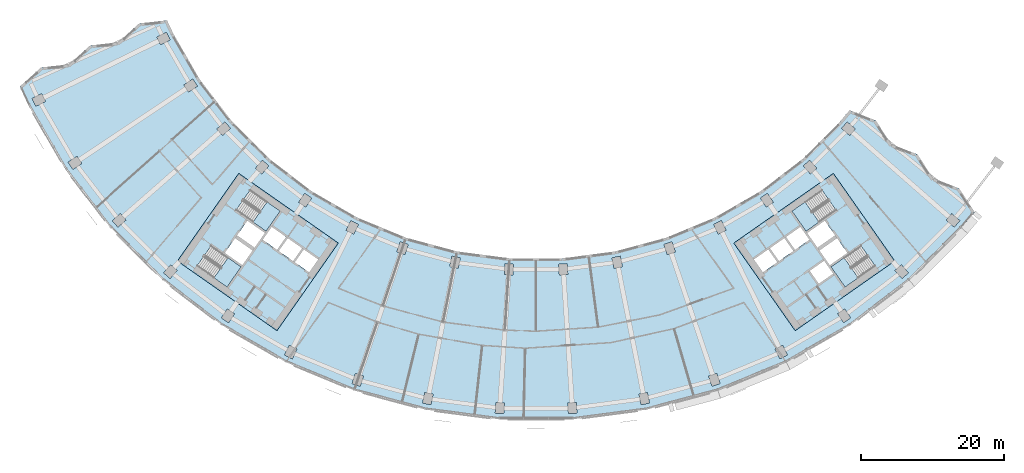
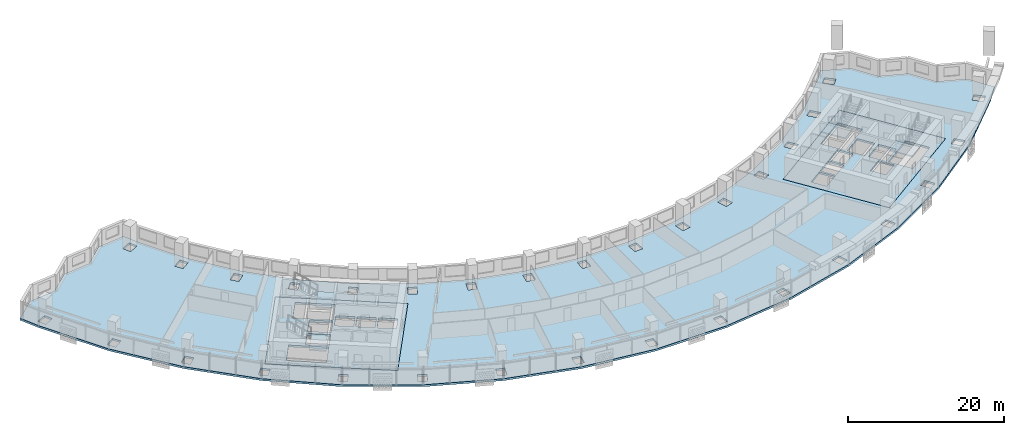
# One storey, part 2 of 29: 7 slabs, 4 elements without a shape of their own.
"""IFC4 building model written with IfcOpenShell, lengths in metres."""

from ifc_helpers import new_model, si_unit, direction, frame, origin, place, context, subcontext, project, spatial, polyline, outline, extrude, material, layer, layer_set, type_object, element, aggregate, save


model = new_model("IFC4")

# Units and contexts
model_context = context("Model", 3, precision=1e-05, world=origin(), true_north=direction((0.0, 1.0)))
body_context = subcontext(model_context, "Body", "Model", "MODEL_VIEW")
ifc_project = project(units=[si_unit("LENGTHUNIT", "METRE"), si_unit("AREAUNIT", "SQUARE_METRE"), si_unit("VOLUMEUNIT", "CUBIC_METRE"), si_unit("PLANEANGLEUNIT", "RADIAN"), si_unit("MASSUNIT", "GRAM", prefix="KILO")], contexts=[model_context])

# Site, building, storey
site_placement = place(None, origin())
site = spatial("IfcSite", under=ifc_project, at=site_placement, CompositionType="ELEMENT")
building_placement = place(site_placement, origin())
building = spatial("IfcBuilding", under=site, at=building_placement, Name="Qamariyya Broadcast Tower", CompositionType="ELEMENT")
storey_placement = place(building_placement, frame((0.0, 0.0, 121.5)))
storey = spatial("IfcBuildingStorey", under=building, at=storey_placement, Name="L27", CompositionType="ELEMENT", Elevation=121.5)

# Slabs
ifc_material_1 = material(Name="Concrete C40/50", Category="concrete")
ifc_layer_1 = layer(ifc_material_1, 0.300048828125)
ifc_layer_set_1 = layer_set([ifc_layer_1], Name="Core floor slab 300 mm Concrete C40/50")
slab_type_1 = type_object("IfcSlabType", Name="Core floor slab 300 mm Concrete C40/50", PredefinedType="FLOOR", material=ifc_layer_set_1)
slab_1_placement = place(storey_placement, frame((0.0, 0.0, -0.300048828125)))
element("IfcSlab", 1, at=slab_1_placement, inside=storey, type_object=slab_type_1, Name="k-W-L27-slab", PredefinedType="FLOOR", context=body_context, shape_type="SweptSolid", body=[
    extrude(outline(polyline([(-50.286376953125, -56.95751953125), (-36.32373046875, -66.734375), (-27.719970703125, -54.447021484375), (-41.6826171875, -44.67041015625), (-50.286376953125, -56.95751953125)]), holes=[polyline([(-31.80859375, -58.542724609375), (-33.8154296875, -57.137451171875), (-32.5537109375, -55.335205078125), (-30.546630859375, -56.740478515625), (-31.80859375, -58.542724609375)]), polyline([(-34.061279296875, -56.96533203125), (-36.068115234375, -55.56005859375), (-34.806396484375, -53.758056640625), (-32.79931640625, -55.163330078125), (-34.061279296875, -56.96533203125)]), polyline([(-36.31396484375, -55.387939453125), (-38.32080078125, -53.982666015625), (-37.058837890625, -52.1806640625), (-35.052001953125, -53.5859375), (-36.31396484375, -55.387939453125)]), polyline([(-39.742431640625, -55.489990234375), (-42.199951171875, -53.769287109375), (-43.6337890625, -55.817138671875), (-41.17626953125, -57.537841796875), (-39.742431640625, -55.489990234375)]), polyline([(-39.45556640625, -55.080322265625), (-41.9130859375, -53.359619140625), (-40.47900390625, -51.311767578125), (-38.021728515625, -53.032470703125), (-39.45556640625, -55.080322265625)]), polyline([(-42.06103515625, -49.837890625), (-37.849609375, -52.78662109375), (-35.870849609375, -49.960693359375), (-40.082275390625, -47.01171875), (-42.06103515625, -49.837890625)]), polyline([(-47.538818359375, -57.66064453125), (-43.3271484375, -60.609619140625), (-41.348388671875, -57.783447265625), (-45.559814453125, -54.834716796875), (-47.538818359375, -57.66064453125)])]), origin(), (0.0, 0.0, 1.0), 0.300048828125),
])
slab_2_placement = place(storey_placement, frame((0.0, 0.0, -0.300048828125)))
element("IfcSlab", 2, at=slab_2_placement, inside=storey, type_object=slab_type_1, Name="k-E-L27-slab", PredefinedType="FLOOR", context=body_context, shape_type="SweptSolid", body=[
    extrude(outline(polyline([(36.32373046875, -66.734375), (50.286376953125, -56.95751953125), (41.6826171875, -44.67041015625), (27.719970703125, -54.447021484375), (36.32373046875, -66.734375)]), holes=[polyline([(31.80859375, -58.542724609375), (33.8154296875, -57.137451171875), (32.5537109375, -55.335205078125), (30.546630859375, -56.740478515625), (31.80859375, -58.542724609375)]), polyline([(34.061279296875, -56.96533203125), (36.068115234375, -55.56005859375), (34.806396484375, -53.758056640625), (32.79931640625, -55.163330078125), (34.061279296875, -56.96533203125)]), polyline([(36.31396484375, -55.387939453125), (38.32080078125, -53.982666015625), (37.058837890625, -52.1806640625), (35.052001953125, -53.5859375), (36.31396484375, -55.387939453125)]), polyline([(38.378662109375, -58.3369140625), (40.3857421875, -56.931640625), (41.6474609375, -58.73388671875), (39.640625, -60.13916015625), (38.378662109375, -58.3369140625)]), polyline([(39.742431640625, -55.489990234375), (42.199951171875, -53.769287109375), (43.6337890625, -55.817138671875), (41.17626953125, -57.537841796875), (39.742431640625, -55.489990234375)]), polyline([(39.45556640625, -55.080322265625), (41.9130859375, -53.359619140625), (40.47900390625, -51.311767578125), (38.021728515625, -53.032470703125), (39.45556640625, -55.080322265625)]), polyline([(40.082275390625, -47.01171875), (35.870849609375, -49.960693359375), (37.849609375, -52.78662109375), (42.06103515625, -49.837890625), (40.082275390625, -47.01171875)]), polyline([(45.559814453125, -54.834716796875), (41.348388671875, -57.783447265625), (43.3271484375, -60.609619140625), (47.538818359375, -57.66064453125), (45.559814453125, -54.834716796875)])]), origin(), (0.0, 0.0, 1.0), 0.300048828125),
])
ifc_layer_2 = layer(ifc_material_1, 0.300048828125)
ifc_layer_set_2 = layer_set([ifc_layer_2], Name="Post-tensioned floor slab 300 C40/50")
slab_type_2 = type_object("IfcSlabType", Name="Post-tensioned floor slab 300 C40/50", PredefinedType="FLOOR", material=ifc_layer_set_2)
slab_3_placement = place(storey_placement, frame((0.0, 0.0, -0.300048828125)))
element("IfcSlab", 3, at=slab_3_placement, inside=storey, type_object=slab_type_2, Name="Floor slab S4 L27", PredefinedType="FLOOR", context=body_context, shape_type="SweptSolid", body=[
    extrude(outline(polyline([(-69.396728515625, -29.822509765625), (-72.350830078125, -32.463134765625), (-71.1220703125, -35.073486328125), (-65.935546875, -44.056640625), (-59.620849609375, -52.2861328125), (-52.2861328125, -59.620849609375), (-44.056640625, -65.935546875), (-35.073486328125, -71.1220703125), (-25.490234375, -75.091552734375), (-15.470703125, -77.7763671875), (-5.1865234375, -79.130126953125), (5.1865234375, -79.130126953125), (15.470703125, -77.7763671875), (25.490234375, -75.091552734375), (35.073486328125, -71.1220703125), (44.056640625, -65.935546875), (52.2861328125, -59.620849609375), (59.620849609375, -52.2861328125), (61.4833984375, -50.082763671875), (59.3134765625, -46.767333984375), (55.642578125, -45.324951171875), (53.471923828125, -42.009033203125), (49.8017578125, -40.567138671875), (47.630126953125, -37.25048828125), (43.9609375, -35.809326171875), (42.62939453125, -37.385009765625), (37.385009765625, -42.62939453125), (31.500732421875, -47.144287109375), (25.077880859375, -50.852783203125), (18.2255859375, -53.69091796875), (11.0615234375, -55.610595703125), (3.708251953125, -56.57861328125), (-3.708251953125, -56.57861328125), (-11.0615234375, -55.610595703125), (-18.2255859375, -53.69091796875), (-25.077880859375, -50.852783203125), (-31.500732421875, -47.144287109375), (-37.385009765625, -42.62939453125), (-42.62939453125, -37.385009765625), (-47.144287109375, -31.500732421875), (-50.852783203125, -25.077880859375), (-51.731201171875, -23.211181640625), (-55.648193359375, -23.653564453125), (-58.6044921875, -26.295166015625), (-62.522705078125, -26.738037109375), (-65.4775390625, -29.379150390625), (-69.396728515625, -29.822509765625)]), holes=[polyline([(-5.73291015625, -78.292724609375), (-5.634765625, -76.7958984375), (-4.437255859375, -76.874267578125), (-4.535400390625, -78.37109375), (-5.73291015625, -78.292724609375)]), polyline([(-15.903076171875, -76.87451171875), (-15.6103515625, -75.4033203125), (-14.43359375, -75.637451171875), (-14.72607421875, -77.108642578125), (-15.903076171875, -76.87451171875)]), polyline([(-25.80126953125, -74.14111328125), (-25.319091796875, -72.720703125), (-24.1826171875, -73.1064453125), (-24.664794921875, -74.52685546875), (-25.80126953125, -74.14111328125)]), polyline([(-35.2578125, -70.13916015625), (-34.59423828125, -68.7939453125), (-33.51806640625, -69.324462890625), (-34.181640625, -70.669921875), (-35.2578125, -70.13916015625)]), polyline([(-44.111083984375, -64.93701171875), (-43.27783203125, -63.689697265625), (-42.280029296875, -64.3564453125), (-43.11328125, -65.603759765625), (-44.111083984375, -64.93701171875)]), polyline([(-52.209716796875, -58.623779296875), (-51.220703125, -57.49609375), (-50.318603515625, -58.287353515625), (-51.3076171875, -59.4150390625), (-52.209716796875, -58.623779296875)]), polyline([(-12.098876953125, -57.749267578125), (-11.80615234375, -56.278076171875), (-10.629150390625, -56.51220703125), (-10.921875, -57.9833984375), (-12.098876953125, -57.749267578125)]), polyline([(-41.6826171875, -44.67041015625), (-27.719970703125, -54.447021484375), (-36.32373046875, -66.734375), (-50.286376953125, -56.95751953125), (-41.6826171875, -44.67041015625)]), polyline([(-19.051025390625, -54.255615234375), (-17.91455078125, -54.641357421875), (-18.396728515625, -56.061767578125), (-19.533203125, -55.676025390625), (-19.051025390625, -54.255615234375)]), polyline([(-26.633056640625, -52.650146484375), (-25.9697265625, -51.3046875), (-24.8935546875, -51.83544921875), (-25.556884765625, -53.180908203125), (-26.633056640625, -52.650146484375)]), polyline([(-59.4150390625, -51.3076171875), (-58.287353515625, -50.318603515625), (-57.49609375, -51.220703125), (-58.623779296875, -52.209716796875), (-59.4150390625, -51.3076171875)]), polyline([(-33.277587890625, -48.723388671875), (-32.444091796875, -47.47607421875), (-31.4462890625, -48.142822265625), (-32.27978515625, -49.39013671875), (-33.277587890625, -48.723388671875)]), polyline([(-39.3525390625, -43.962890625), (-38.363525390625, -42.835205078125), (-37.461181640625, -43.62646484375), (-38.4501953125, -44.754150390625), (-39.3525390625, -43.962890625)]), polyline([(-65.603759765625, -43.11328125), (-64.3564453125, -42.280029296875), (-63.689697265625, -43.27783203125), (-64.93701171875, -44.111083984375), (-65.603759765625, -43.11328125)]), polyline([(-44.754150390625, -38.4501953125), (-43.62646484375, -37.461181640625), (-42.835205078125, -38.363525390625), (-43.962890625, -39.3525390625), (-44.754150390625, -38.4501953125)]), polyline([(-70.669921875, -34.181640625), (-69.324462890625, -33.51806640625), (-68.7939453125, -34.59423828125), (-70.13916015625, -35.2578125), (-70.669921875, -34.181640625)]), polyline([(-48.142822265625, -31.4462890625), (-47.47607421875, -32.444091796875), (-48.723388671875, -33.277587890625), (-49.39013671875, -32.27978515625), (-48.142822265625, -31.4462890625)]), polyline([(-51.83544921875, -24.8935546875), (-51.3046875, -25.9697265625), (-52.650146484375, -26.633056640625), (-53.180908203125, -25.556884765625), (-51.83544921875, -24.8935546875)]), polyline([(4.535400390625, -78.37109375), (4.437255859375, -76.874267578125), (5.634765625, -76.7958984375), (5.73291015625, -78.292724609375), (4.535400390625, -78.37109375)]), polyline([(14.72607421875, -77.108642578125), (14.43359375, -75.637451171875), (15.6103515625, -75.4033203125), (15.903076171875, -76.87451171875), (14.72607421875, -77.108642578125)]), polyline([(24.664794921875, -74.52685546875), (24.1826171875, -73.1064453125), (25.319091796875, -72.720703125), (25.80126953125, -74.14111328125), (24.664794921875, -74.52685546875)]), polyline([(34.181640625, -70.669921875), (33.51806640625, -69.324462890625), (34.59423828125, -68.7939453125), (35.2578125, -70.13916015625), (34.181640625, -70.669921875)]), polyline([(43.11328125, -65.603759765625), (42.280029296875, -64.3564453125), (43.27783203125, -63.689697265625), (44.111083984375, -64.93701171875), (43.11328125, -65.603759765625)]), polyline([(51.3076171875, -59.4150390625), (50.318603515625, -58.287353515625), (51.220703125, -57.49609375), (52.209716796875, -58.623779296875), (51.3076171875, -59.4150390625)]), polyline([(3.260009765625, -58.912841796875), (3.161865234375, -57.416015625), (4.359375, -57.337646484375), (4.45751953125, -58.83447265625), (3.260009765625, -58.912841796875)]), polyline([(-4.359375, -57.337646484375), (-3.161865234375, -57.416015625), (-3.260009765625, -58.912841796875), (-4.45751953125, -58.83447265625), (-4.359375, -57.337646484375)]), polyline([(10.629150390625, -56.51220703125), (11.80615234375, -56.278076171875), (12.098876953125, -57.749267578125), (10.921875, -57.9833984375), (10.629150390625, -56.51220703125)]), polyline([(36.32373046875, -66.734375), (27.719970703125, -54.447021484375), (41.6826171875, -44.67041015625), (50.286376953125, -56.95751953125), (36.32373046875, -66.734375)]), polyline([(18.396728515625, -56.061767578125), (17.91455078125, -54.641357421875), (19.051025390625, -54.255615234375), (19.533203125, -55.676025390625), (18.396728515625, -56.061767578125)]), polyline([(25.556884765625, -53.180908203125), (24.8935546875, -51.83544921875), (25.9697265625, -51.3046875), (26.633056640625, -52.650146484375), (25.556884765625, -53.180908203125)]), polyline([(58.623779296875, -52.209716796875), (57.49609375, -51.220703125), (58.287353515625, -50.318603515625), (59.4150390625, -51.3076171875), (58.623779296875, -52.209716796875)]), polyline([(32.27978515625, -49.39013671875), (31.4462890625, -48.142822265625), (32.444091796875, -47.47607421875), (33.277587890625, -48.723388671875), (32.27978515625, -49.39013671875)]), polyline([(38.4501953125, -44.754150390625), (37.461181640625, -43.62646484375), (38.363525390625, -42.835205078125), (39.3525390625, -43.962890625), (38.4501953125, -44.754150390625)]), polyline([(42.835205078125, -38.363525390625), (43.62646484375, -37.461181640625), (44.754150390625, -38.4501953125), (43.962890625, -39.3525390625), (42.835205078125, -38.363525390625)])]), origin(), (0.0, 0.0, 1.0), 0.300048828125),
])

# Stair, slab
ifc_material_2 = material(Name="Concrete C50/60", Category="concrete")
stair_type = type_object("IfcStairType", Name="Exit stair 22 risers of 173 mm", PredefinedType="HALF_TURN_STAIR", material=ifc_material_2)
stair_1_placement = place(storey_placement, origin())
stair_1 = element("IfcStair", 4, at=stair_1_placement, inside=storey, type_object=stair_type, Name="L27 Stair W2", PredefinedType="HALF_TURN_STAIR")
ifc_layer_3 = layer(ifc_material_2, 0.199951171875)
ifc_layer_set_3 = layer_set([ifc_layer_3], Name="Stair landing")
slab_type_3 = type_object("IfcSlabType", Name="Stair landing", PredefinedType="LANDING", material=ifc_layer_set_3)
slab_4_placement = place(storey_placement, frame((0.0, 0.0, 1.699951171875)))
slab_4 = element("IfcSlab", 5, at=slab_4_placement, type_object=slab_type_3, Name="ST-W2 landing 1", PredefinedType="LANDING", context=body_context, shape_type="SweptSolid", body=[
    extrude(outline(polyline([(-39.692138671875, -51.49658203125), (-37.849609375, -52.78662109375), (-35.870849609375, -49.960693359375), (-37.71337890625, -48.67041015625), (-39.692138671875, -51.49658203125)])), origin(), (0.0, 0.0, 1.0), 0.199951171875),
])
aggregate(stair_1, [slab_4])

stair_2_placement = place(storey_placement, origin())
stair_2 = element("IfcStair", 6, at=stair_2_placement, inside=storey, type_object=stair_type, Name="L27 Stair W1", PredefinedType="HALF_TURN_STAIR")
slab_5_placement = place(storey_placement, frame((0.0, 0.0, 1.699951171875)))
slab_5 = element("IfcSlab", 7, at=slab_5_placement, type_object=slab_type_3, Name="ST-W1 landing 1", PredefinedType="LANDING", context=body_context, shape_type="SweptSolid", body=[
    extrude(outline(polyline([(-45.169677734375, -59.319580078125), (-43.3271484375, -60.609619140625), (-41.348388671875, -57.783447265625), (-43.19091796875, -56.493408203125), (-45.169677734375, -59.319580078125)])), origin(), (0.0, 0.0, 1.0), 0.199951171875),
])
aggregate(stair_2, [slab_5])

stair_3_placement = place(storey_placement, origin())
stair_3 = element("IfcStair", 8, at=stair_3_placement, inside=storey, type_object=stair_type, Name="L27 Stair E2", PredefinedType="HALF_TURN_STAIR")
slab_6_placement = place(storey_placement, frame((0.0, 0.0, 1.699951171875)))
slab_6 = element("IfcSlab", 9, at=slab_6_placement, type_object=slab_type_3, Name="ST-E2 landing 1", PredefinedType="LANDING", context=body_context, shape_type="SweptSolid", body=[
    extrude(outline(polyline([(37.71337890625, -48.67041015625), (35.870849609375, -49.960693359375), (37.849609375, -52.78662109375), (39.692138671875, -51.49658203125), (37.71337890625, -48.67041015625)])), origin(), (0.0, 0.0, 1.0), 0.199951171875),
])
aggregate(stair_3, [slab_6])

stair_4_placement = place(storey_placement, origin())
stair_4 = element("IfcStair", 10, at=stair_4_placement, inside=storey, type_object=stair_type, Name="L27 Stair E1", PredefinedType="HALF_TURN_STAIR")
slab_7_placement = place(storey_placement, frame((0.0, 0.0, 1.699951171875)))
slab_7 = element("IfcSlab", 11, at=slab_7_placement, type_object=slab_type_3, Name="ST-E1 landing 1", PredefinedType="LANDING", context=body_context, shape_type="SweptSolid", body=[
    extrude(outline(polyline([(43.19091796875, -56.493408203125), (41.348388671875, -57.783447265625), (43.3271484375, -60.609619140625), (45.169677734375, -59.319580078125), (43.19091796875, -56.493408203125)])), origin(), (0.0, 0.0, 1.0), 0.199951171875),
])
aggregate(stair_4, [slab_7])

save(model, "model.ifc")
